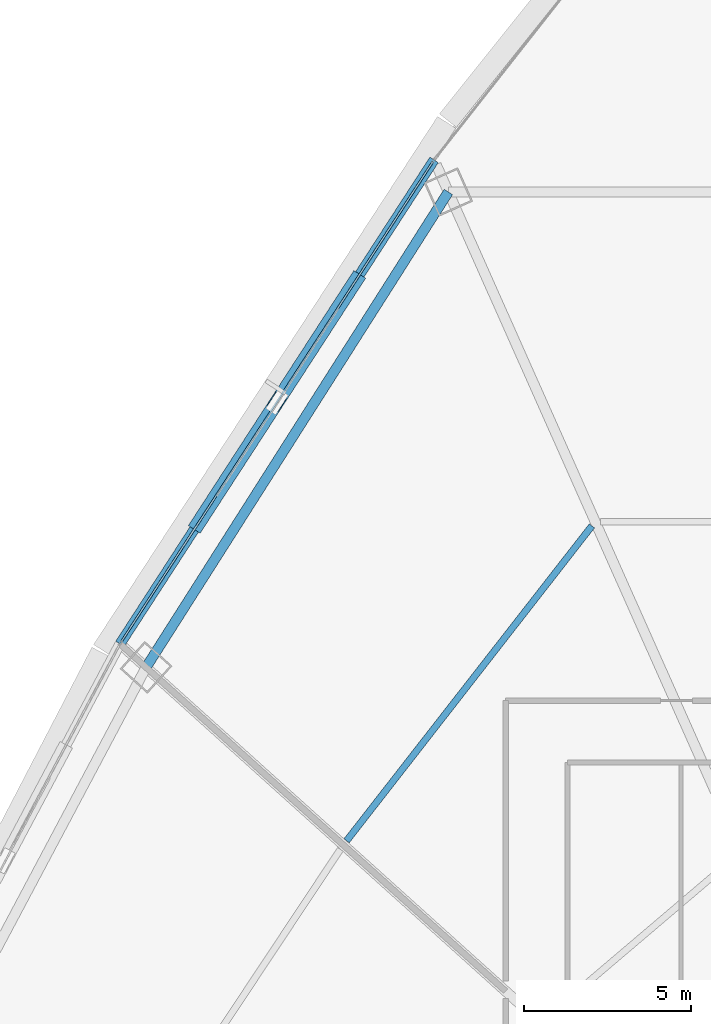
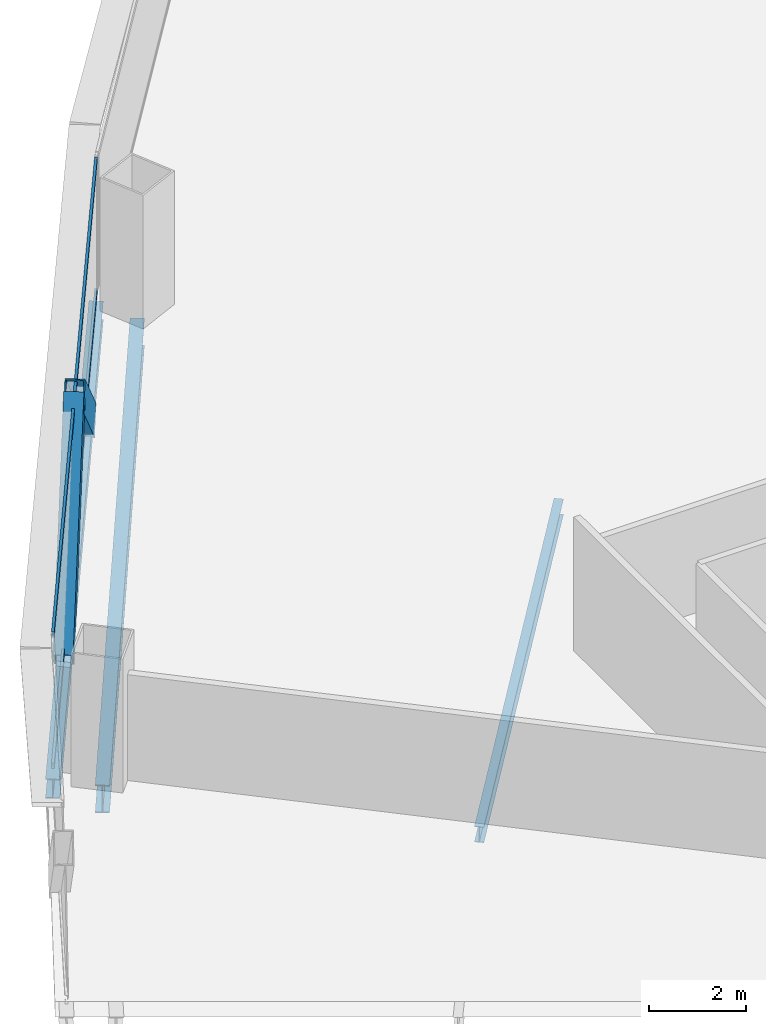
# One storey, part 17 of 40: 4 members, 3 beams, 1 element without a shape of its own.
"""IFC4 building model written with IfcOpenShell, lengths in metres."""

from ifc_helpers import new_model, si_unit, direction, frame, origin, origin_2d, place, context, subcontext, project, spatial, hollow_rectangle, i_section, extrude, source, transform, mapped, material, layer, layer_set, material_profile, profile_set, type_object, element, aggregate, save


model = new_model("IFC4")

# Units and contexts
model_context = context("Model", 3, precision=1e-05, world=origin(), true_north=direction((0.0, 1.0)))
body_context = subcontext(model_context, "Body", "Model", "MODEL_VIEW")
ifc_project = project(units=[si_unit("LENGTHUNIT", "METRE"), si_unit("AREAUNIT", "SQUARE_METRE"), si_unit("VOLUMEUNIT", "CUBIC_METRE"), si_unit("PLANEANGLEUNIT", "RADIAN"), si_unit("MASSUNIT", "GRAM", prefix="KILO"), si_unit("THERMODYNAMICTEMPERATUREUNIT", "KELVIN"), si_unit("POWERUNIT", "WATT")], contexts=[model_context])

# Site, building, storey
site_placement = place(None, origin())
site = spatial("IfcSite", under=ifc_project, at=site_placement, CompositionType="ELEMENT")
building_placement = place(site_placement, origin())
building = spatial("IfcBuilding", under=site, at=building_placement, Name="Yunzhuo Pagoda Commons", CompositionType="ELEMENT")
storey_placement = place(building_placement, frame((0.0, 0.0, 66.699951171875)))
storey = spatial("IfcBuildingStorey", under=building, at=storey_placement, Name="L17", CompositionType="ELEMENT", Elevation=66.699951171875)

# Beams
ifc_material_1 = material(Name="Structural steel Q355B", Category="steel")
ifc_material_profile_1 = material_profile(ifc_material_1, i_section(OverallWidth=0.300048828125, OverallDepth=0.699951171875, WebThickness=0.012939453125, FlangeThickness=0.02392578125, at=origin_2d()), Name="Structural steel Q355B")
ifc_profile_set_1 = profile_set([ifc_material_profile_1], Name="Structural steel Q355B")
beam_type_1 = type_object("IfcBeamType", Name="B-RG1 Beam HN 700x300x13x24", PredefinedType="BEAM", material=ifc_profile_set_1)
shared_shape_1 = source(origin(), body_context, "Body", "SweptSolid", [
    extrude(i_section(OverallWidth=0.300048828125, OverallDepth=0.699951171875, WebThickness=0.012939453125, FlangeThickness=0.02392578125, at=origin_2d()), origin(), (0.0, 0.0, 1.0), 16.843994140625),
])
beam_1_placement = place(storey_placement, frame((31.38916015625, 71.008544921875, -0.60986328125), z_axis=(-0.536558458992, -0.843863152462, 0.0), x_axis=(0.843863152462, -0.536558458992, 0.0)))
element("IfcBeam", 1, at=beam_1_placement, inside=storey, type_object=beam_type_1, Name="L17 column-ring beam 9", PredefinedType="BEAM", context=body_context, shape_type="MappedRepresentation", body=[
    mapped(shared_shape_1, transform((0.0, 0.0, 0.0), scale=1.0)),
])
ifc_material_profile_2 = material_profile(ifc_material_1, i_section(OverallWidth=0.199951171875, OverallDepth=0.39990234375, WebThickness=0.008056640625, FlangeThickness=0.012939453125, at=origin_2d()), Name="Structural steel Q355B")
ifc_profile_set_2 = profile_set([ifc_material_profile_2], Name="Structural steel Q355B")
beam_type_2 = type_object("IfcBeamType", Name="B-JS1 Joist HN 400x200x8x13", PredefinedType="JOIST", material=ifc_profile_set_2)
shared_shape_2 = source(origin(), body_context, "Body", "SweptSolid", [
    extrude(i_section(OverallWidth=0.199951171875, OverallDepth=0.39990234375, WebThickness=0.008056640625, FlangeThickness=0.012939453125, at=origin_2d()), origin(), (0.0, 0.0, 1.0), 11.934326171875),
])
beam_2_placement = place(storey_placement, frame((35.680908203125, 61.0244140625, -0.4599609375), z_axis=(-0.614546587023, -0.788880531119, 0.0), x_axis=(0.788880531119, -0.614546587023, 0.0)))
element("IfcBeam", 2, at=beam_2_placement, inside=storey, type_object=beam_type_2, Name="L17 composite ring joist 2.9", PredefinedType="JOIST", context=body_context, shape_type="MappedRepresentation", body=[
    mapped(shared_shape_2, transform((0.0, 0.0, 0.0), scale=1.0)),
])
ifc_material_profile_3 = material_profile(ifc_material_1, i_section(OverallWidth=0.300048828125, OverallDepth=0.488037109375, WebThickness=0.010986328125, FlangeThickness=0.01806640625, at=origin_2d()), Name="Structural steel Q355B")
ifc_profile_set_3 = profile_set([ifc_material_profile_3], Name="Structural steel Q355B")
beam_type_3 = type_object("IfcBeamType", Name="B-SP1 Beam HM 488x300x11x18", PredefinedType="BEAM", material=ifc_profile_set_3)
shared_shape_3 = source(origin(), body_context, "Body", "SweptSolid", [
    extrude(i_section(OverallWidth=0.300048828125, OverallDepth=0.488037109375, WebThickness=0.010986328125, FlangeThickness=0.01806640625, at=origin_2d()), origin(), (0.0, 0.0, 1.0), 17.251220703125),
])
beam_3_placement = place(storey_placement, frame((30.962158203125, 71.9677734375, -0.50390625), z_axis=(-0.544376852456, -0.838840773037, 0.0), x_axis=(0.838840773037, -0.544376852456, 0.0)))
element("IfcBeam", 3, at=beam_3_placement, inside=storey, type_object=beam_type_3, Name="L17 facade edge spandrel beam F3.1", PredefinedType="BEAM", context=body_context, shape_type="MappedRepresentation", body=[
    mapped(shared_shape_3, transform((0.0, 0.0, 0.0), scale=1.0)),
])

# Members
ifc_material_2 = material(Name="Structural steel Q420B", Category="steel")
ifc_material_profile_4 = material_profile(ifc_material_2, hollow_rectangle(XDim=0.419921875, YDim=0.719970703125, WallThickness=0.028076171875, at=origin_2d()), Name="Structural steel Q420B")
ifc_profile_set_4 = profile_set([ifc_material_profile_4], Name="Structural steel Q420B")
member_type_1 = type_object("IfcMemberType", Name="M-DL1 Brace BOX 720x420x28", PredefinedType="BRACE", material=ifc_profile_set_4)
shared_shape_4 = source(origin(), body_context, "Body", "SweptSolid", [
    extrude(hollow_rectangle(XDim=0.419921875, YDim=0.719970703125, WallThickness=0.028076171875, at=origin_2d()), origin(), (0.0, 0.0, 1.0), 5.63720703125),
])
for number, where, z_axis, x_axis, name in (
    (4, (28.6142578125, 68.35009765625, -0.260009765625), (-0.416453717231, -0.641787399714, 0.643952820456), (0.83886627845, -0.544337548659, 0.0), "L17 facade diamond brace F3.1L"),
    (5, (23.918701171875, 61.114501953125, -0.260009765625), (0.416501089454, 0.641750352868, 0.643959103576), (-0.838823653709, 0.544403231051, 0.0), "L17 facade diamond brace F3.1R"),
):
    element("IfcMember", number, at=place(storey_placement, frame(where, z_axis=z_axis, x_axis=x_axis)), inside=storey, type_object=member_type_1, Name=name, PredefinedType="BRACE", context=body_context, shape_type="MappedRepresentation", body=[
        mapped(shared_shape_4, transform((0.0, 0.0, 0.0), scale=1.0)),
    ])

# Curtain wall, members
ifc_material_3 = material(Name="Anodized aluminium 6063-T6", Category="aluminium")
ifc_layer = layer(ifc_material_3, 0.1650390625)
ifc_layer_set = layer_set([ifc_layer], Name="Anodized aluminium 6063-T6")
curtain_wall_type = type_object("IfcCurtainWallType", Name="CW-LOW Low-Zone Ribbon Curtain Wall", PredefinedType="NOTDEFINED", material=ifc_layer_set)
curtain_wall_placement = place(storey_placement, origin())
curtain_wall = element("IfcCurtainWall", 6, at=curtain_wall_placement, inside=storey, type_object=curtain_wall_type, Name="L17 curtain wall CW-L17-F3B2", PredefinedType="NOTDEFINED")
ifc_material_profile_5 = material_profile(ifc_material_3, hollow_rectangle(XDim=0.06005859375, YDim=0.139892578125, WallThickness=0.00341796875, at=origin_2d()), Name="Anodized aluminium 6063-T6")
ifc_profile_set_5 = profile_set([ifc_material_profile_5], Name="Anodized aluminium 6063-T6")
member_type_2 = type_object("IfcMemberType", Name="CW-LOW-T Transom RHS 140x60x3.5", PredefinedType="USERDEFINED", material=ifc_profile_set_5)
shared_shape_5 = source(origin(), body_context, "Body", "SweptSolid", [
    extrude(hollow_rectangle(XDim=0.06005859375, YDim=0.139892578125, WallThickness=0.00341796875, at=origin_2d()), origin(), (0.0, 0.0, 1.0), 17.120849609375),
])
member_1_placement = place(storey_placement, frame((30.9267578125, 71.9130859375, 0.0302734375), z_axis=(-0.544384232902, -0.838835983353, 0.0), x_axis=(0.838835983353, -0.544384232902, 0.0)))
member_1 = element("IfcMember", 7, at=member_1_placement, type_object=member_type_2, Name="CW transom 1.1", ObjectType="TRANSOM", PredefinedType="USERDEFINED", context=body_context, shape_type="MappedRepresentation", body=[
    mapped(shared_shape_5, transform((0.0, 0.0, 0.0), scale=1.0)),
])
member_2_placement = place(storey_placement, frame((30.9267578125, 71.9130859375, 3.340087890625), z_axis=(-0.544384232902, -0.838835983353, 0.0), x_axis=(0.838835983353, -0.544384232902, 0.0)))
member_2 = element("IfcMember", 8, at=member_2_placement, type_object=member_type_2, Name="CW transom 1.2", ObjectType="TRANSOM", PredefinedType="USERDEFINED", context=body_context, shape_type="MappedRepresentation", body=[
    mapped(shared_shape_5, transform((0.0, 0.0, 0.0), scale=1.0)),
])
aggregate(curtain_wall, [member_1, member_2])

save(model, "model.ifc")
